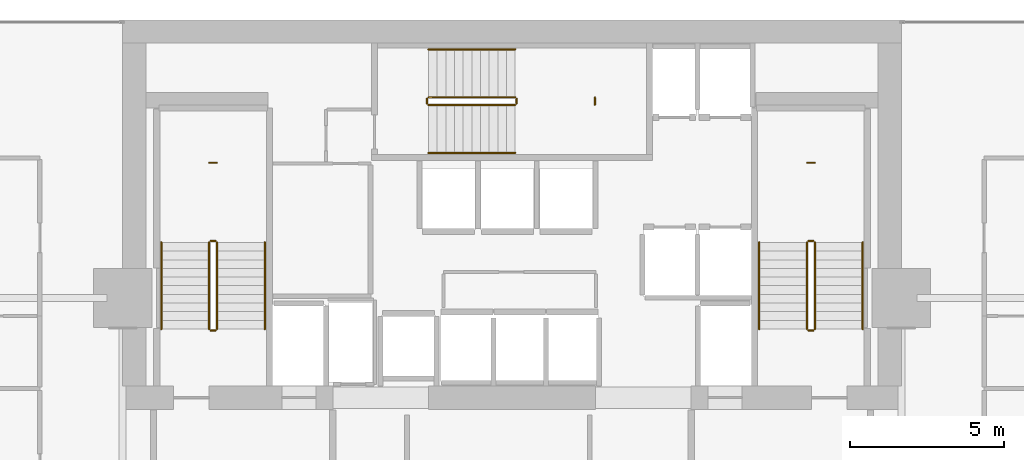
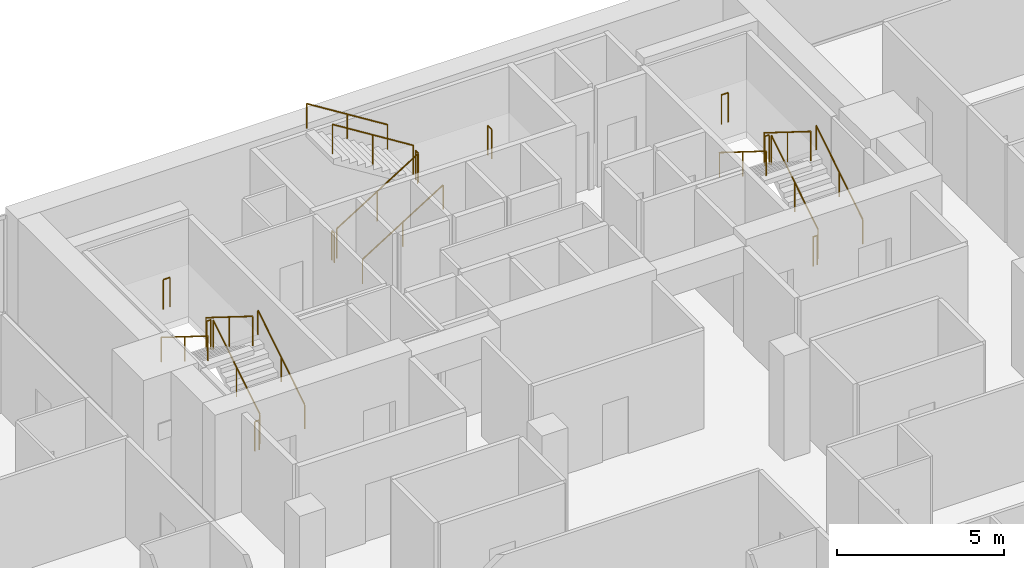
# One storey, part 33 of 33: 21 railings.
"""IFC4 building model written with IfcOpenShell, lengths in metres."""

import ifcopenshell
import ifcopenshell.guid

model = None  # the IFC model being written
_history = None  # IfcOwnerHistory: only IFC2X3 demands one
_inside = {}  # id of a spatial element -> (the spatial element, [elements in it])
_under = {}  # id of a project, library or spatial element -> (it, [spatial elements below it])
_declared = {}  # id of a project -> (the project, [libraries it declares])
_typed = {}  # id of a type object -> (the type object, [elements of that type])
_made_of = {}  # id of a material, layer set ... -> (it, [elements and type objects made of it])


def new_model(schema):
    """Start an empty IFC model of exactly this schema.

    Asked for "IFC4X3", IfcOpenShell would pick the latest addendum, in which some entities
    have other attributes; the version numbers below select the first issue.
    IFC2X3 requires an IfcOwnerHistory on every rooted entity: one is made here for all.
    """
    global model, _history
    if schema == "IFC4X3":
        model = ifcopenshell.file(schema_version=(4, 3, 0, 0))
    else:
        model = ifcopenshell.file(schema=schema)
    _inside.clear()
    _under.clear()
    _declared.clear()
    _typed.clear()
    _made_of.clear()
    _history = None
    if model.schema == "IFC2X3":
        org = make("IfcOrganization", Name="unknown")
        user = make(
            "IfcPersonAndOrganization",
            ThePerson=make("IfcPerson", FamilyName="unknown"),
            TheOrganization=org,
        )
        app = make(
            "IfcApplication",
            ApplicationDeveloper=org,
            Version="unknown",
            ApplicationFullName="unknown",
            ApplicationIdentifier="unknown",
        )
        _history = make(
            "IfcOwnerHistory",
            OwningUser=user,
            OwningApplication=app,
            ChangeAction="ADDED",
            CreationDate=0,
        )
    return model


def make(cls, **values):
    """One entity of the class cls with the attributes given. An attribute that is None is left unset."""
    return model.create_entity(
        cls, **{name: value for name, value in values.items() if value is not None}
    )


def rooted(cls, **values):
    """An entity with a GlobalId (a new one), such as an element, a storey or a relation."""
    return make(cls, GlobalId=ifcopenshell.guid.new(), OwnerHistory=_history, **values)


def si_unit(unit_type, name, prefix=None):
    """IfcSIUnit, for example si_unit("LENGTHUNIT", "METRE", prefix="MILLI")."""
    return make("IfcSIUnit", UnitType=unit_type, Prefix=prefix, Name=name)


def assignment(units):
    """IfcUnitAssignment: the units of a project."""
    return None if units is None else make("IfcUnitAssignment", Units=units)


def point(xyz):
    """IfcCartesianPoint."""
    return None if xyz is None else make("IfcCartesianPoint", Coordinates=xyz)


def direction(xyz):
    """IfcDirection."""
    return None if xyz is None else make("IfcDirection", DirectionRatios=xyz)


def frame(location, z_axis=None, x_axis=None):
    """IfcAxis2Placement3D, a coordinate frame: its origin and axes. An axis left out is left unset."""
    return make(
        "IfcAxis2Placement3D",
        Location=point(location),
        Axis=direction(z_axis),
        RefDirection=direction(x_axis),
    )


def frame_2d(location, x_axis=None):
    """IfcAxis2Placement2D, a coordinate frame in the plane: its origin and x axis."""
    return make(
        "IfcAxis2Placement2D", Location=point(location), RefDirection=direction(x_axis)
    )


def origin():
    """The frame at (0, 0, 0) with its axes left unset."""
    return frame((0.0, 0.0, 0.0))


def origin_2d():
    """The frame at (0, 0) in the plane with its x axis left unset."""
    return frame_2d((0.0, 0.0))


def place(relative_to, where):
    """IfcLocalPlacement: puts the frame where relative to a parent placement (None: the world)."""
    return make(
        "IfcLocalPlacement", PlacementRelTo=relative_to, RelativePlacement=where
    )


def context(
    kind, dimensions, precision=None, world=None, true_north=None, identifier=None
):
    """IfcGeometricRepresentationContext, for example the 3D "Model" context."""
    return make(
        "IfcGeometricRepresentationContext",
        ContextIdentifier=identifier,
        ContextType=kind,
        CoordinateSpaceDimension=dimensions,
        Precision=precision,
        WorldCoordinateSystem=world,
        TrueNorth=true_north,
    )


def subcontext(parent, identifier, kind, view, scale=None):
    """IfcGeometricRepresentationSubContext, for example "Body" below "Model"."""
    return make(
        "IfcGeometricRepresentationSubContext",
        ContextIdentifier=identifier,
        ContextType=kind,
        ParentContext=parent,
        TargetScale=scale,
        TargetView=view,
    )


def project(units=None, contexts=None):
    """IfcProject with its units and contexts."""
    return rooted(
        "IfcProject",
        Name="project",
        RepresentationContexts=contexts,
        UnitsInContext=assignment(units),
    )


def spatial(cls, under=None, at=None, **own):
    """A site, building, storey or space (cls), placed at a placement, below another one or the project."""
    s = rooted(cls, ObjectPlacement=at, **own)
    if under is not None:
        _under.setdefault(under.id(), (under, []))[1].append(s)
    return s


def profile(cls, at=None, kind="AREA", **sizes):
    """A parametric profile (cls). Its sizes go by their IFC names, for example OverallWidth=200.0."""
    return make(cls, ProfileType=kind, Position=at, **sizes)


def circle(**sizes):
    """IfcCircleProfileDef."""
    return profile("IfcCircleProfileDef", **sizes)


def extrude(swept, where, along, depth):
    """IfcExtrudedAreaSolid: the profile swept, set in the frame where, extruded along a direction by depth."""
    return make(
        "IfcExtrudedAreaSolid",
        SweptArea=swept,
        Position=where,
        ExtrudedDirection=direction(along),
        Depth=depth,
    )


def shape(context_of_items, identifier, shape_type, items):
    """IfcShapeRepresentation: the items that make up one representation, for example the "Body"."""
    return make(
        "IfcShapeRepresentation",
        ContextOfItems=context_of_items,
        RepresentationIdentifier=identifier,
        RepresentationType=shape_type,
        Items=items,
    )


def material(Name=None, Category=None):
    """IfcMaterial."""
    return make("IfcMaterial", Name=Name, Category=Category)


def made_of(thing, what):
    """Note that an element or type object is made of a material, layer set ...; save() writes the relation."""
    if what is not None:
        _made_of.setdefault(what.id(), (what, []))[1].append(thing)
    return thing


def type_object(cls, material=None, **own):
    """A type object (cls), such as IfcWallType, which elements share."""
    return made_of(rooted(cls, **own), material)


def element(
    cls,
    number,
    at=None,
    inside=None,
    cuts=None,
    type_object=None,
    material=None,
    context=None,
    identifier="Body",
    shape_type=None,
    held_by="IfcProductDefinitionShape",
    body=None,
    shapes=None,
    **own,
):
    """One element of the class cls, such as IfcWall. Its Tag is "e" and its number.

    at: its placement. inside: the storey or other place that contains it. cuts: it is an
    opening in that element (IfcRelVoidsElement). A single representation is given by context,
    identifier, shape_type and body (its items); several are given by shapes. held_by: the class
    of the entity that holds the representations. save() writes the other relations.
    """
    e = rooted(cls, Tag="e%d" % number, ObjectPlacement=at, **own)
    if body is not None:
        shapes = [shape(context, identifier, shape_type, body)]
    if shapes is not None:
        e.Representation = make(held_by, Representations=shapes)
    if inside is not None:
        _inside.setdefault(inside.id(), (inside, []))[1].append(e)
    if cuts is not None:
        rooted(
            "IfcRelVoidsElement", RelatingBuildingElement=cuts, RelatedOpeningElement=e
        )
    if type_object is not None:
        _typed.setdefault(type_object.id(), (type_object, []))[1].append(e)
    return made_of(e, material)


def aggregate(whole, parts):
    """IfcRelAggregates: a whole, such as a stair, and the parts it consists of."""
    return rooted("IfcRelAggregates", RelatingObject=whole, RelatedObjects=parts)


def save(model, path):
    """Write the relations noted so far, then the file.

    IfcRelAggregates (storeys below a building ...), IfcRelContainedInSpatialStructure (elements
    in a storey), IfcRelDefinesByType, IfcRelAssociatesMaterial and IfcRelDeclares: one each for
    every whole, place, type object, material and project.
    """
    for whole, parts in _under.values():
        aggregate(whole, parts)
    for where, things in _inside.values():
        rooted(
            "IfcRelContainedInSpatialStructure",
            RelatedElements=things,
            RelatingStructure=where,
        )
    for kind, things in _typed.values():
        rooted("IfcRelDefinesByType", RelatedObjects=things, RelatingType=kind)
    for what, things in _made_of.values():
        rooted("IfcRelAssociatesMaterial", RelatedObjects=things, RelatingMaterial=what)
    for by, libraries in _declared.values():
        rooted("IfcRelDeclares", RelatingContext=by, RelatedDefinitions=libraries)
    model.write(path)


model = new_model("IFC4")

# Units and contexts
model_context = context("Model", 3, precision=1e-05, world=origin(), true_north=direction((0.0, 1.0)))
body_context = subcontext(model_context, "Body", "Model", "MODEL_VIEW")
ifc_project = project(units=[si_unit("LENGTHUNIT", "METRE"), si_unit("AREAUNIT", "SQUARE_METRE"), si_unit("VOLUMEUNIT", "CUBIC_METRE"), si_unit("PLANEANGLEUNIT", "RADIAN"), si_unit("MASSUNIT", "GRAM", prefix="KILO")], contexts=[model_context])

# Site, building, storey
site_placement = place(None, origin())
site = spatial("IfcSite", under=ifc_project, at=site_placement, CompositionType="ELEMENT")
building_placement = place(site_placement, origin())
building = spatial("IfcBuilding", under=site, at=building_placement, Name="Maruvema Waterfront Hotel and Observation Tower", CompositionType="ELEMENT")
storey_placement = place(building_placement, frame((0.0, 0.0, 150.5)))
storey = spatial("IfcBuildingStorey", under=building, at=storey_placement, Name="L36", CompositionType="ELEMENT", Elevation=150.5)

# Railings
ifc_material_1 = material(Name="Brushed stainless steel Grade 316", Category="steel")
railing_type_1 = type_object("IfcRailingType", Name="Ramp Continuous Wall Handrail 920 mm", PredefinedType="HANDRAIL", material=ifc_material_1)
railing_1_placement = place(storey_placement, frame((29.800048828125, 44.0, 0.175048828125)))
element("IfcRailing", 1, at=railing_1_placement, inside=storey, type_object=railing_type_1, Name="L36 ST-01 stair handrail 1", PredefinedType="HANDRAIL", context=body_context, shape_type="SweptSolid", body=[
    extrude(circle(Radius=0.02392578125, at=origin_2d()), frame((0.0, 0.0, 0.89599609375), z_axis=(0.0, 0.848002457836, 0.529992293815), x_axis=(-1.0, 0.0, 0.0)), (0.0, 0.0, 1.0), 3.302001953125),
    extrude(circle(Radius=0.02099609375, at=origin_2d()), origin(), (0.0, 0.0, 1.0), 0.871826171875),
    extrude(circle(Radius=0.02099609375, at=origin_2d()), frame((0.0, 1.39990234375, 0.875)), (0.0, 0.0, 1.0), 0.871826171875),
    extrude(circle(Radius=0.02099609375, at=origin_2d()), frame((0.0, 2.800048828125, 1.75)), (0.0, 0.0, 1.0), 0.871826171875),
])
railing_2_placement = place(storey_placement, frame((26.449951171875, 46.800048828125, 2.10009765625)))
element("IfcRailing", 2, at=railing_2_placement, inside=storey, type_object=railing_type_1, Name="L36 ST-01 stair handrail 2", PredefinedType="HANDRAIL", context=body_context, shape_type="SweptSolid", body=[
    extrude(circle(Radius=0.02392578125, at=origin_2d()), frame((0.0, 0.0, 0.89599609375), z_axis=(0.0, -0.848002457836, 0.529992293815), x_axis=(1.0, 0.0, 0.0)), (0.0, 0.0, 1.0), 3.302001953125),
    extrude(circle(Radius=0.02099609375, at=origin_2d()), origin(), (0.0, 0.0, 1.0), 0.871826171875),
    extrude(circle(Radius=0.02099609375, at=origin_2d()), frame((0.0, -1.39990234375, 0.875)), (0.0, 0.0, 1.0), 0.871826171875),
    extrude(circle(Radius=0.02099609375, at=origin_2d()), frame((0.0, -2.800048828125, 1.75)), (0.0, 0.0, 1.0), 0.871826171875),
])
railing_3_placement = place(storey_placement, frame((35.10009765625, 49.699951171875, 0.175048828125)))
element("IfcRailing", 3, at=railing_3_placement, inside=storey, type_object=railing_type_1, Name="L36 ST-02 stair handrail 1", PredefinedType="HANDRAIL", context=body_context, shape_type="SweptSolid", body=[
    extrude(circle(Radius=0.02392578125, at=origin_2d()), frame((0.0, 0.0, 0.89599609375), z_axis=(0.847981687118, 0.0, 0.530025526095), x_axis=(0.0, 1.0, 0.0)), (0.0, 0.0, 1.0), 3.3017578125),
    extrude(circle(Radius=0.02099609375, at=origin_2d()), origin(), (0.0, 0.0, 1.0), 0.871826171875),
    extrude(circle(Radius=0.02099609375, at=origin_2d()), frame((1.39990234375, 0.0, 0.875)), (0.0, 0.0, 1.0), 0.871826171875),
    extrude(circle(Radius=0.02099609375, at=origin_2d()), frame((2.7998046875, 0.0, 1.75)), (0.0, 0.0, 1.0), 0.871826171875),
])
railing_4_placement = place(storey_placement, frame((37.89990234375, 53.050048828125, 2.10009765625)))
element("IfcRailing", 4, at=railing_4_placement, inside=storey, type_object=railing_type_1, Name="L36 ST-02 stair handrail 2", PredefinedType="HANDRAIL", context=body_context, shape_type="SweptSolid", body=[
    extrude(circle(Radius=0.02392578125, at=origin_2d()), frame((0.0, 0.0, 0.89599609375), z_axis=(-0.847981687118, 0.0, 0.530025526095), x_axis=(0.0, -1.0, 0.0)), (0.0, 0.0, 1.0), 3.3017578125),
    extrude(circle(Radius=0.02099609375, at=origin_2d()), origin(), (0.0, 0.0, 1.0), 0.871826171875),
    extrude(circle(Radius=0.02099609375, at=origin_2d()), frame((-1.39990234375, 0.0, 0.875)), (0.0, 0.0, 1.0), 0.871826171875),
    extrude(circle(Radius=0.02099609375, at=origin_2d()), frame((-2.7998046875, 0.0, 1.75)), (0.0, 0.0, 1.0), 0.871826171875),
])
railing_5_placement = place(storey_placement, frame((49.14990234375, 44.0, 0.175048828125)))
element("IfcRailing", 5, at=railing_5_placement, inside=storey, type_object=railing_type_1, Name="L36 ST-03 stair handrail 1", PredefinedType="HANDRAIL", context=body_context, shape_type="SweptSolid", body=[
    extrude(circle(Radius=0.02392578125, at=origin_2d()), frame((0.0, 0.0, 0.89599609375), z_axis=(0.0, 0.848002457836, 0.529992293815), x_axis=(-1.0, 0.0, 0.0)), (0.0, 0.0, 1.0), 3.302001953125),
    extrude(circle(Radius=0.02099609375, at=origin_2d()), origin(), (0.0, 0.0, 1.0), 0.871826171875),
    extrude(circle(Radius=0.02099609375, at=origin_2d()), frame((0.0, 1.39990234375, 0.875)), (0.0, 0.0, 1.0), 0.871826171875),
    extrude(circle(Radius=0.02099609375, at=origin_2d()), frame((0.0, 2.800048828125, 1.75)), (0.0, 0.0, 1.0), 0.871826171875),
])
railing_6_placement = place(storey_placement, frame((45.800048828125, 46.800048828125, 2.10009765625)))
element("IfcRailing", 6, at=railing_6_placement, inside=storey, type_object=railing_type_1, Name="L36 ST-03 stair handrail 2", PredefinedType="HANDRAIL", context=body_context, shape_type="SweptSolid", body=[
    extrude(circle(Radius=0.02392578125, at=origin_2d()), frame((0.0, 0.0, 0.89599609375), z_axis=(0.0, -0.848002457836, 0.529992293815), x_axis=(1.0, 0.0, 0.0)), (0.0, 0.0, 1.0), 3.302001953125),
    extrude(circle(Radius=0.02099609375, at=origin_2d()), origin(), (0.0, 0.0, 1.0), 0.871826171875),
    extrude(circle(Radius=0.02099609375, at=origin_2d()), frame((0.0, -1.39990234375, 0.875)), (0.0, 0.0, 1.0), 0.871826171875),
    extrude(circle(Radius=0.02099609375, at=origin_2d()), frame((0.0, -2.800048828125, 1.75)), (0.0, 0.0, 1.0), 0.871826171875),
])
ifc_material_2 = material(Name="Brushed stainless steel Grade 316", Category="steel")
railing_type_2 = type_object("IfcRailingType", Name="Ramp and Terrace Guard Balustrade 1100 mm", PredefinedType="BALUSTRADE", material=ifc_material_2)
railing_7_placement = place(storey_placement, frame((28.25, 44.0, 0.175048828125)))
element("IfcRailing", 7, at=railing_7_placement, inside=storey, type_object=railing_type_2, Name="L36 ST-01 stair guard 1", PredefinedType="BALUSTRADE", context=body_context, shape_type="SweptSolid", body=[
    extrude(circle(Radius=0.02392578125, at=origin_2d()), frame((0.0, 0.0, 1.076171875), z_axis=(0.0, 0.848002457836, 0.529992293815), x_axis=(-1.0, 0.0, 0.0)), (0.0, 0.0, 1.0), 3.302001953125),
    extrude(circle(Radius=0.02099609375, at=origin_2d()), origin(), (0.0, 0.0, 1.0), 1.052001953125),
    extrude(circle(Radius=0.02099609375, at=origin_2d()), frame((0.0, 1.39990234375, 0.875)), (0.0, 0.0, 1.0), 1.052001953125),
    extrude(circle(Radius=0.02099609375, at=origin_2d()), frame((0.0, 2.800048828125, 1.75)), (0.0, 0.0, 1.0), 1.052001953125),
])
railing_8_placement = place(storey_placement, frame((28.199951171875, 46.85009765625, 1.925048828125)))
element("IfcRailing", 8, at=railing_8_placement, inside=storey, type_object=railing_type_2, Name="L36 ST-01 stair guard 2", PredefinedType="BALUSTRADE", context=body_context, shape_type="SweptSolid", body=[
    extrude(circle(Radius=0.02392578125, at=origin_2d()), frame((0.0, 0.0, 1.076171875), z_axis=(-1.0, 0.0, 0.0), x_axis=(0.0, -1.0, 0.0)), (0.0, 0.0, 1.0), 0.14990234375),
    extrude(circle(Radius=0.02099609375, at=origin_2d()), origin(), (0.0, 0.0, 1.0), 1.052001953125),
    extrude(circle(Radius=0.02099609375, at=origin_2d()), frame((-0.14990234375, 0.0, 0.0)), (0.0, 0.0, 1.0), 1.052001953125),
])
railing_9_placement = place(storey_placement, frame((28.0, 46.800048828125, 2.10009765625)))
element("IfcRailing", 9, at=railing_9_placement, inside=storey, type_object=railing_type_2, Name="L36 ST-01 stair guard 3", PredefinedType="BALUSTRADE", context=body_context, shape_type="SweptSolid", body=[
    extrude(circle(Radius=0.02392578125, at=origin_2d()), frame((0.0, 0.0, 1.076171875), z_axis=(0.0, -0.848002457836, 0.529992293815), x_axis=(1.0, 0.0, 0.0)), (0.0, 0.0, 1.0), 3.302001953125),
    extrude(circle(Radius=0.02099609375, at=origin_2d()), origin(), (0.0, 0.0, 1.0), 1.052001953125),
    extrude(circle(Radius=0.02099609375, at=origin_2d()), frame((0.0, -1.39990234375, 0.875)), (0.0, 0.0, 1.0), 1.052001953125),
    extrude(circle(Radius=0.02099609375, at=origin_2d()), frame((0.0, -2.800048828125, 1.75)), (0.0, 0.0, 1.0), 1.052001953125),
])
railing_10_placement = place(storey_placement, frame((28.199951171875, 43.949951171875, 0.0)))
element("IfcRailing", 10, at=railing_10_placement, inside=storey, type_object=railing_type_2, Name="L36 ST-01 stair guard 4", PredefinedType="BALUSTRADE", context=body_context, shape_type="SweptSolid", body=[
    extrude(circle(Radius=0.02392578125, at=origin_2d()), frame((0.0, 0.0, 1.076171875), z_axis=(-1.0, 0.0, 0.0), x_axis=(0.0, -1.0, 0.0)), (0.0, 0.0, 1.0), 0.14990234375),
    extrude(circle(Radius=0.02099609375, at=origin_2d()), origin(), (0.0, 0.0, 1.0), 1.052001953125),
    extrude(circle(Radius=0.02099609375, at=origin_2d()), frame((-0.14990234375, 0.0, 0.0)), (0.0, 0.0, 1.0), 1.052001953125),
])
railing_11_placement = place(storey_placement, frame((28.239990234375, 49.3798828125, 1.925048828125)))
element("IfcRailing", 11, at=railing_11_placement, inside=storey, type_object=railing_type_2, Name="L36 ST-01 Half-Landing Slot Guard", PredefinedType="BALUSTRADE", context=body_context, shape_type="SweptSolid", body=[
    extrude(circle(Radius=0.02392578125, at=origin_2d()), frame((0.0, 0.0, 1.076171875), z_axis=(-1.0, 0.0, 0.0), x_axis=(0.0, -1.0, 0.0)), (0.0, 0.0, 1.0), 0.22998046875),
    extrude(circle(Radius=0.02099609375, at=origin_2d()), origin(), (0.0, 0.0, 1.0), 1.052001953125),
    extrude(circle(Radius=0.02099609375, at=origin_2d()), frame((-0.22998046875, 0.0, 0.0)), (0.0, 0.0, 1.0), 1.052001953125),
])
railing_12_placement = place(storey_placement, frame((35.10009765625, 51.25, 0.175048828125)))
element("IfcRailing", 12, at=railing_12_placement, inside=storey, type_object=railing_type_2, Name="L36 ST-02 stair guard 1", PredefinedType="BALUSTRADE", context=body_context, shape_type="SweptSolid", body=[
    extrude(circle(Radius=0.02392578125, at=origin_2d()), frame((0.0, 0.0, 1.076171875), z_axis=(0.847981687118, 0.0, 0.530025526095), x_axis=(0.0, 1.0, 0.0)), (0.0, 0.0, 1.0), 3.3017578125),
    extrude(circle(Radius=0.02099609375, at=origin_2d()), origin(), (0.0, 0.0, 1.0), 1.052001953125),
    extrude(circle(Radius=0.02099609375, at=origin_2d()), frame((1.39990234375, 0.0, 0.875)), (0.0, 0.0, 1.0), 1.052001953125),
    extrude(circle(Radius=0.02099609375, at=origin_2d()), frame((2.7998046875, 0.0, 1.75)), (0.0, 0.0, 1.0), 1.052001953125),
])
railing_13_placement = place(storey_placement, frame((37.949951171875, 51.300048828125, 1.925048828125)))
element("IfcRailing", 13, at=railing_13_placement, inside=storey, type_object=railing_type_2, Name="L36 ST-02 stair guard 2", PredefinedType="BALUSTRADE", context=body_context, shape_type="SweptSolid", body=[
    extrude(circle(Radius=0.02392578125, at=origin_2d()), frame((0.0, 0.0, 1.076171875), z_axis=(0.0, 1.0, 0.0), x_axis=(-1.0, 0.0, 0.0)), (0.0, 0.0, 1.0), 0.14990234375),
    extrude(circle(Radius=0.02099609375, at=origin_2d()), origin(), (0.0, 0.0, 1.0), 1.052001953125),
    extrude(circle(Radius=0.02099609375, at=origin_2d()), frame((0.0, 0.14990234375, 0.0)), (0.0, 0.0, 1.0), 1.052001953125),
])
railing_14_placement = place(storey_placement, frame((37.89990234375, 51.5, 2.10009765625)))
element("IfcRailing", 14, at=railing_14_placement, inside=storey, type_object=railing_type_2, Name="L36 ST-02 stair guard 3", PredefinedType="BALUSTRADE", context=body_context, shape_type="SweptSolid", body=[
    extrude(circle(Radius=0.02392578125, at=origin_2d()), frame((0.0, 0.0, 1.076171875), z_axis=(-0.847981687118, 0.0, 0.530025526095), x_axis=(0.0, -1.0, 0.0)), (0.0, 0.0, 1.0), 3.3017578125),
    extrude(circle(Radius=0.02099609375, at=origin_2d()), origin(), (0.0, 0.0, 1.0), 1.052001953125),
    extrude(circle(Radius=0.02099609375, at=origin_2d()), frame((-1.39990234375, 0.0, 0.875)), (0.0, 0.0, 1.0), 1.052001953125),
    extrude(circle(Radius=0.02099609375, at=origin_2d()), frame((-2.7998046875, 0.0, 1.75)), (0.0, 0.0, 1.0), 1.052001953125),
])
railing_15_placement = place(storey_placement, frame((35.050048828125, 51.300048828125, 0.0)))
element("IfcRailing", 15, at=railing_15_placement, inside=storey, type_object=railing_type_2, Name="L36 ST-02 stair guard 4", PredefinedType="BALUSTRADE", context=body_context, shape_type="SweptSolid", body=[
    extrude(circle(Radius=0.02392578125, at=origin_2d()), frame((0.0, 0.0, 1.076171875), z_axis=(0.0, 1.0, 0.0), x_axis=(-1.0, 0.0, 0.0)), (0.0, 0.0, 1.0), 0.14990234375),
    extrude(circle(Radius=0.02099609375, at=origin_2d()), origin(), (0.0, 0.0, 1.0), 1.052001953125),
    extrude(circle(Radius=0.02099609375, at=origin_2d()), frame((0.0, 0.14990234375, 0.0)), (0.0, 0.0, 1.0), 1.052001953125),
])
railing_16_placement = place(storey_placement, frame((40.47998046875, 51.260009765625, 1.925048828125)))
element("IfcRailing", 16, at=railing_16_placement, inside=storey, type_object=railing_type_2, Name="L36 ST-02 Half-Landing Slot Guard", PredefinedType="BALUSTRADE", context=body_context, shape_type="SweptSolid", body=[
    extrude(circle(Radius=0.02392578125, at=origin_2d()), frame((0.0, 0.0, 1.076171875), z_axis=(0.0, 1.0, 0.0), x_axis=(-1.0, 0.0, 0.0)), (0.0, 0.0, 1.0), 0.22998046875),
    extrude(circle(Radius=0.02099609375, at=origin_2d()), origin(), (0.0, 0.0, 1.0), 1.052001953125),
    extrude(circle(Radius=0.02099609375, at=origin_2d()), frame((0.0, 0.22998046875, 0.0)), (0.0, 0.0, 1.0), 1.052001953125),
])
railing_17_placement = place(storey_placement, frame((47.60009765625, 44.0, 0.175048828125)))
element("IfcRailing", 17, at=railing_17_placement, inside=storey, type_object=railing_type_2, Name="L36 ST-03 stair guard 1", PredefinedType="BALUSTRADE", context=body_context, shape_type="SweptSolid", body=[
    extrude(circle(Radius=0.02392578125, at=origin_2d()), frame((0.0, 0.0, 1.076171875), z_axis=(0.0, 0.848002457836, 0.529992293815), x_axis=(-1.0, 0.0, 0.0)), (0.0, 0.0, 1.0), 3.302001953125),
    extrude(circle(Radius=0.02099609375, at=origin_2d()), origin(), (0.0, 0.0, 1.0), 1.052001953125),
    extrude(circle(Radius=0.02099609375, at=origin_2d()), frame((0.0, 1.39990234375, 0.875)), (0.0, 0.0, 1.0), 1.052001953125),
    extrude(circle(Radius=0.02099609375, at=origin_2d()), frame((0.0, 2.800048828125, 1.75)), (0.0, 0.0, 1.0), 1.052001953125),
])
railing_18_placement = place(storey_placement, frame((47.550048828125, 46.85009765625, 1.925048828125)))
element("IfcRailing", 18, at=railing_18_placement, inside=storey, type_object=railing_type_2, Name="L36 ST-03 stair guard 2", PredefinedType="BALUSTRADE", context=body_context, shape_type="SweptSolid", body=[
    extrude(circle(Radius=0.02392578125, at=origin_2d()), frame((0.0, 0.0, 1.076171875), z_axis=(-1.0, 0.0, 0.0), x_axis=(0.0, -1.0, 0.0)), (0.0, 0.0, 1.0), 0.150146484375),
    extrude(circle(Radius=0.02099609375, at=origin_2d()), origin(), (0.0, 0.0, 1.0), 1.052001953125),
    extrude(circle(Radius=0.02099609375, at=origin_2d()), frame((-0.150146484375, 0.0, 0.0)), (0.0, 0.0, 1.0), 1.052001953125),
])
railing_19_placement = place(storey_placement, frame((47.35009765625, 46.800048828125, 2.10009765625)))
element("IfcRailing", 19, at=railing_19_placement, inside=storey, type_object=railing_type_2, Name="L36 ST-03 stair guard 3", PredefinedType="BALUSTRADE", context=body_context, shape_type="SweptSolid", body=[
    extrude(circle(Radius=0.02392578125, at=origin_2d()), frame((0.0, 0.0, 1.076171875), z_axis=(0.0, -0.848002457836, 0.529992293815), x_axis=(1.0, 0.0, 0.0)), (0.0, 0.0, 1.0), 3.302001953125),
    extrude(circle(Radius=0.02099609375, at=origin_2d()), origin(), (0.0, 0.0, 1.0), 1.052001953125),
    extrude(circle(Radius=0.02099609375, at=origin_2d()), frame((0.0, -1.39990234375, 0.875)), (0.0, 0.0, 1.0), 1.052001953125),
    extrude(circle(Radius=0.02099609375, at=origin_2d()), frame((0.0, -2.800048828125, 1.75)), (0.0, 0.0, 1.0), 1.052001953125),
])
railing_20_placement = place(storey_placement, frame((47.550048828125, 43.949951171875, 0.0)))
element("IfcRailing", 20, at=railing_20_placement, inside=storey, type_object=railing_type_2, Name="L36 ST-03 stair guard 4", PredefinedType="BALUSTRADE", context=body_context, shape_type="SweptSolid", body=[
    extrude(circle(Radius=0.02392578125, at=origin_2d()), frame((0.0, 0.0, 1.076171875), z_axis=(-1.0, 0.0, 0.0), x_axis=(0.0, -1.0, 0.0)), (0.0, 0.0, 1.0), 0.150146484375),
    extrude(circle(Radius=0.02099609375, at=origin_2d()), origin(), (0.0, 0.0, 1.0), 1.052001953125),
    extrude(circle(Radius=0.02099609375, at=origin_2d()), frame((-0.150146484375, 0.0, 0.0)), (0.0, 0.0, 1.0), 1.052001953125),
])
railing_21_placement = place(storey_placement, frame((47.590087890625, 49.3798828125, 1.925048828125)))
element("IfcRailing", 21, at=railing_21_placement, inside=storey, type_object=railing_type_2, Name="L36 ST-03 Half-Landing Slot Guard", PredefinedType="BALUSTRADE", context=body_context, shape_type="SweptSolid", body=[
    extrude(circle(Radius=0.02392578125, at=origin_2d()), frame((0.0, 0.0, 1.076171875), z_axis=(-1.0, 0.0, 0.0), x_axis=(0.0, -1.0, 0.0)), (0.0, 0.0, 1.0), 0.22998046875),
    extrude(circle(Radius=0.02099609375, at=origin_2d()), origin(), (0.0, 0.0, 1.0), 1.052001953125),
    extrude(circle(Radius=0.02099609375, at=origin_2d()), frame((-0.22998046875, 0.0, 0.0)), (0.0, 0.0, 1.0), 1.052001953125),
])

save(model, "model.ifc")
